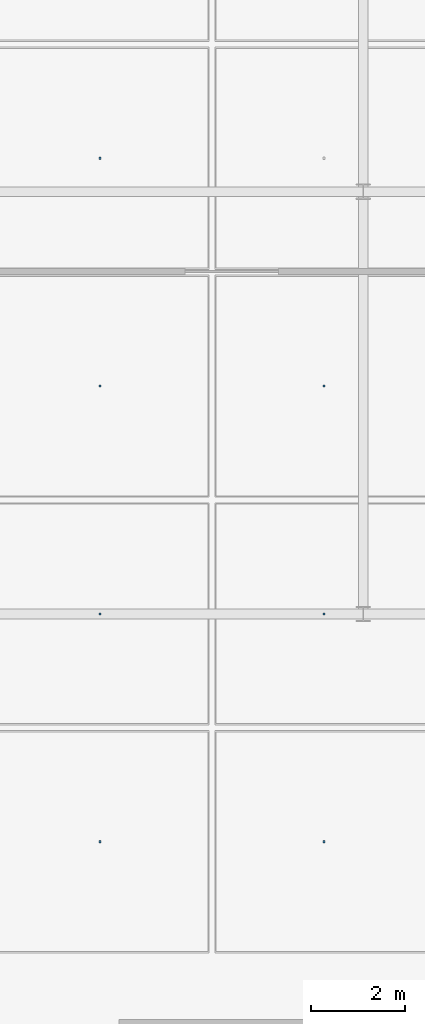
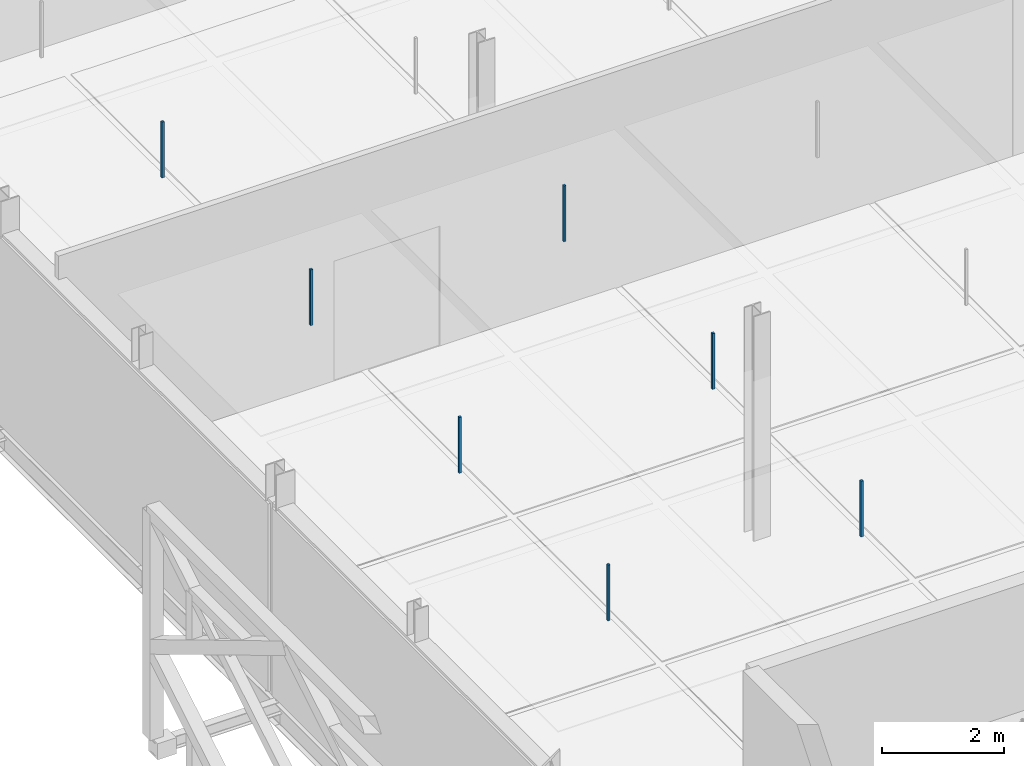
# One storey, part 53 of 89: 7 discrete accessories.
"""IFC4 building model written with IfcOpenShell, lengths in metres."""

from ifc_helpers import new_model, si_unit, direction, frame, origin, origin_2d, place, context, subcontext, project, spatial, rectangle, extrude, material, type_object, element, save


model = new_model("IFC4")

# Units and contexts
model_context = context("Model", 3, precision=1e-05, world=origin(), true_north=direction((0.0, 1.0)))
body_context = subcontext(model_context, "Body", "Model", "MODEL_VIEW")
ifc_project = project(units=[si_unit("LENGTHUNIT", "METRE"), si_unit("AREAUNIT", "SQUARE_METRE"), si_unit("VOLUMEUNIT", "CUBIC_METRE"), si_unit("PLANEANGLEUNIT", "RADIAN"), si_unit("MASSUNIT", "GRAM", prefix="KILO"), si_unit("THERMODYNAMICTEMPERATUREUNIT", "KELVIN"), si_unit("POWERUNIT", "WATT")], contexts=[model_context])

# Site, building, storey
site_placement = place(None, origin())
site = spatial("IfcSite", under=ifc_project, at=site_placement, CompositionType="ELEMENT")
building_placement = place(site_placement, origin())
building = spatial("IfcBuilding", under=site, at=building_placement, Name="Tallowbark Science Centre", CompositionType="ELEMENT")
storey_placement = place(building_placement, frame((0.0, 0.0, 14.39990234375)))
storey = spatial("IfcBuildingStorey", under=building, at=storey_placement, Name="L03", CompositionType="ELEMENT", Elevation=14.39990234375)

# Discrete accessories
ifc_material = material(Name="Galvanised Steel Grade C350L0 (350 MPa)", Category="steel")
discrete_accessory_type = type_object("IfcDiscreteAccessoryType", Name="ACC-CLG-HNG", PredefinedType="BRACKET", material=ifc_material)
for number, where, z_axis, x_axis, name in (
    (1, (61.888916015625, 17.642822265625, 3.20947265625), (0.0, 0.0, 1.0), (1.0, 0.0, 0.0), "Ceiling Hanger Bracket L03-946"),
    (2, (61.888916015625, 22.5, 3.20947265625), (0.0, 0.0, 1.0), (1.0, 0.0, 0.0), "Ceiling Hanger Bracket L03-947"),
    (3, (61.888916015625, 27.357177734375, 3.20947265625), (0.0, 0.0, 1.0), (1.0, 0.0, 0.0), "Ceiling Hanger Bracket L03-948"),
    (4, (61.888916015625, 32.21435546875, 3.20947265625), (0.0, 0.0, 1.0), (1.0, 0.0, 0.0), "Ceiling Hanger Bracket L03-949"),
    (5, (66.666748046875, 17.642822265625, 3.20947265625), (0.0, 0.0, 1.0), (1.0, 0.0, 0.0), "Ceiling Hanger Bracket L03-951"),
    (6, (66.666748046875, 22.5, 3.20947265625), (0.0, 0.0, 1.0), (1.0, 0.0, 0.0), "Ceiling Hanger Bracket L03-952"),
    (7, (66.666748046875, 27.357177734375, 3.20947265625), (0.0, 0.0, 1.0), (1.0, 0.0, 0.0), "Ceiling Hanger Bracket L03-953"),
):
    element("IfcDiscreteAccessory", number, at=place(storey_placement, frame(where, z_axis=z_axis, x_axis=x_axis)), inside=storey, type_object=discrete_accessory_type, Name=name, PredefinedType="BRACKET", context=body_context, shape_type="SweptSolid", body=[
        extrude(rectangle(XDim=0.044921875, YDim=0.044921875, at=origin_2d()), origin(), (0.0, 0.0, 1.0), 1.113525390625),
    ])

save(model, "model.ifc")
